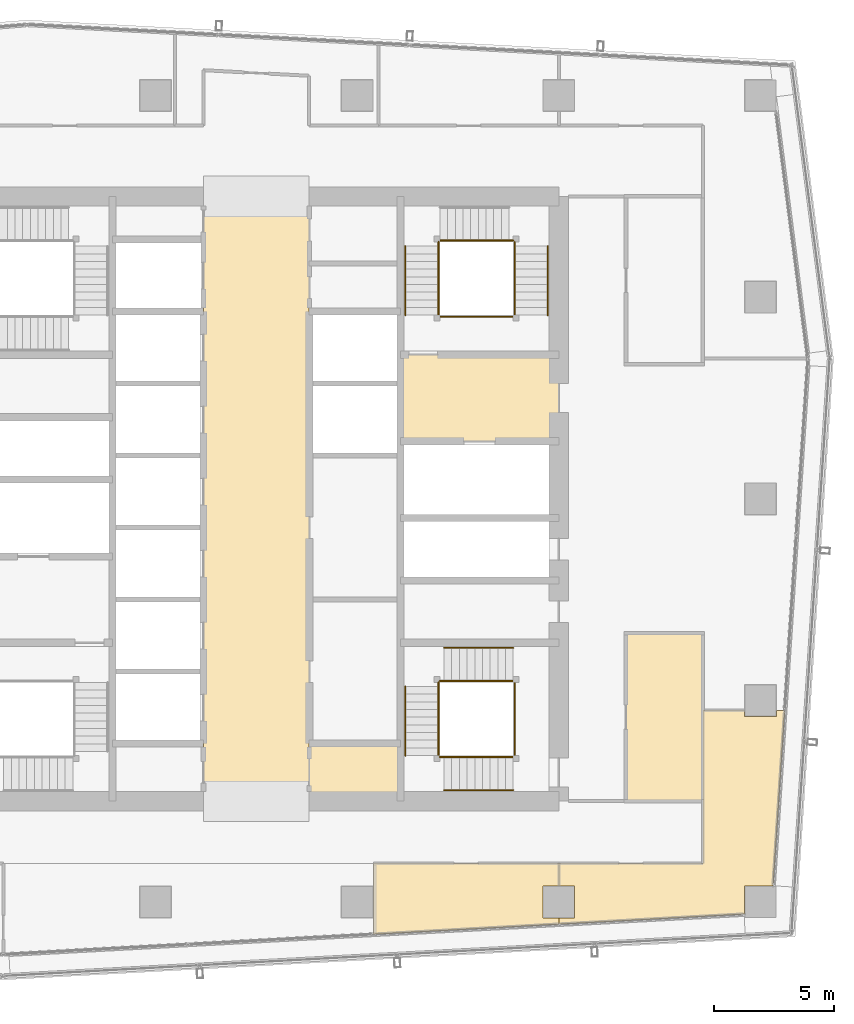
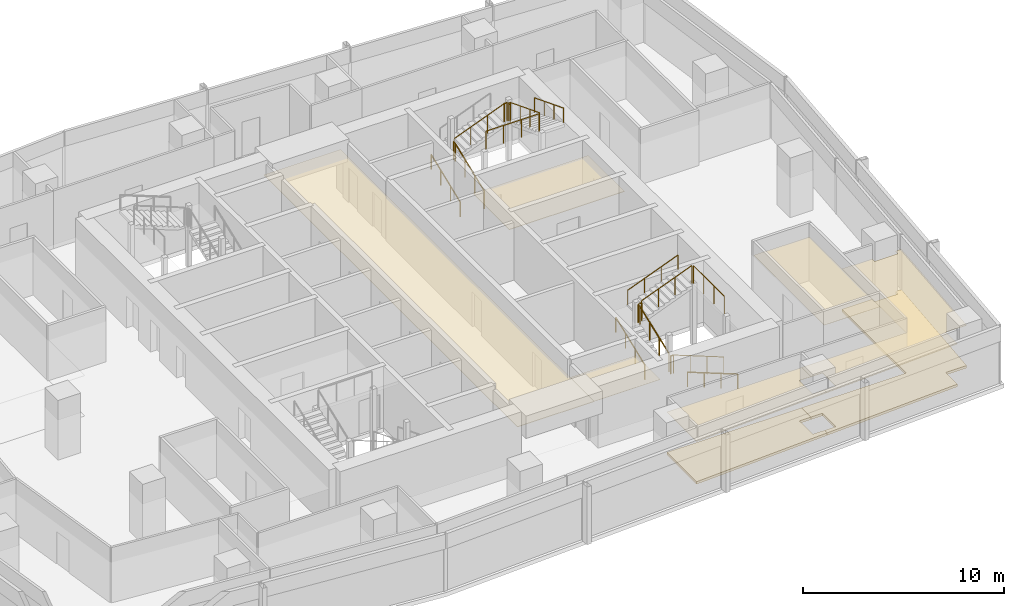
# One storey, part 28 of 29: 19 railings, 8 coverings.
"""IFC4 building model written with IfcOpenShell, lengths in metres."""

from ifc_helpers import new_model, si_unit, direction, frame, origin, origin_2d, place, context, subcontext, project, spatial, polyline, circle, outline, extrude, material, layer, layer_set, type_object, element, save


model = new_model("IFC4")

# Units and contexts
model_context = context("Model", 3, precision=1e-05, world=origin(), true_north=direction((0.0, 1.0)))
body_context = subcontext(model_context, "Body", "Model", "MODEL_VIEW")
ifc_project = project(units=[si_unit("LENGTHUNIT", "METRE"), si_unit("AREAUNIT", "SQUARE_METRE"), si_unit("VOLUMEUNIT", "CUBIC_METRE"), si_unit("PLANEANGLEUNIT", "RADIAN"), si_unit("MASSUNIT", "GRAM", prefix="KILO")], contexts=[model_context])

# Site, building, storey
site_placement = place(None, origin())
site = spatial("IfcSite", under=ifc_project, at=site_placement, CompositionType="ELEMENT")
building_placement = place(site_placement, origin())
building = spatial("IfcBuilding", under=site, at=building_placement, Name="Rekha Terrace Tower", CompositionType="ELEMENT")
storey_placement = place(building_placement, frame((0.0, 0.0, 257.60009765625)))
storey = spatial("IfcBuildingStorey", under=building, at=storey_placement, Name="L65", CompositionType="ELEMENT", Elevation=257.60009765625)

# Coverings
ifc_material_1 = material(Name="Mineral fibre tile in exposed grid", Category="finish")
ifc_layer_1 = layer(ifc_material_1, 0.02001953125)
ifc_layer_set_1 = layer_set([ifc_layer_1], Name="Mineral fibre tile in exposed grid")
covering_type_1 = type_object("IfcCoveringType", Name="CL1 600x1200 office grid ceiling", PredefinedType="CEILING", material=ifc_layer_set_1)
covering_1_placement = place(storey_placement, frame((0.0, 0.0, 2.579833984375)))
element("IfcCovering", 1, at=covering_1_placement, inside=storey, type_object=covering_type_1, Name="Ceiling L65-02", PredefinedType="CEILING", context=body_context, shape_type="SweptSolid", body=[
    extrude(outline(polyline([(49.735107421875, 17.465087890625), (50.39990234375, 17.465087890625), (50.39990234375, 18.39990234375), (42.674072265625, 18.39990234375), (42.674072265625, 15.4541015625), (50.39990234375, 15.875), (50.39990234375, 16.135009765625), (49.735107421875, 16.135009765625), (49.735107421875, 17.465087890625)])), origin(), (0.0, 0.0, 1.0), 0.02001953125),
])
covering_2_placement = place(storey_placement, frame((0.0, 0.0, 2.579833984375)))
element("IfcCovering", 2, at=covering_2_placement, inside=storey, type_object=covering_type_1, Name="Ceiling L65-03", PredefinedType="CEILING", context=body_context, shape_type="SweptSolid", body=[
    extrude(outline(polyline([(58.135009765625, 24.534912109375), (58.135009765625, 24.785888671875), (56.39990234375, 24.785888671875), (56.39990234375, 18.39990234375), (50.40087890625, 18.39990234375), (50.40087890625, 17.465087890625), (51.06494140625, 17.465087890625), (51.06494140625, 16.135009765625), (50.40087890625, 16.135009765625), (50.40087890625, 15.875), (58.135009765625, 16.2958984375), (58.135009765625, 17.465087890625), (59.327880859375, 17.465087890625), (59.81396484375, 24.785888671875), (59.465087890625, 24.785888671875), (59.465087890625, 24.534912109375), (58.135009765625, 24.534912109375)])), origin(), (0.0, 0.0, 1.0), 0.02001953125),
])
ifc_material_2 = material(Name="Fibre cement board", Category="finish")
ifc_layer_2 = layer(ifc_material_2, 0.014892578125)
ifc_layer_set_2 = layer_set([ifc_layer_2], Name="Fibre cement board")
covering_type_2 = type_object("IfcCoveringType", Name="CL2 moisture-resistant board ceiling", PredefinedType="CEILING", material=ifc_layer_set_2)
covering_3_placement = place(storey_placement, frame((0.0, 0.0, 2.5849609375)))
element("IfcCovering", 3, at=covering_3_placement, inside=storey, type_object=covering_type_2, Name="Ceiling L65-WCA", PredefinedType="CEILING", context=body_context, shape_type="SweptSolid", body=[
    extrude(outline(polyline([(43.800048828125, 23.39990234375), (40.0, 23.39990234375), (40.0, 21.0), (43.800048828125, 21.0), (43.800048828125, 23.39990234375)])), origin(), (0.0, 0.0, 1.0), 0.014892578125),
])
covering_4_placement = place(storey_placement, frame((0.0, 0.0, 2.5849609375)))
element("IfcCovering", 4, at=covering_4_placement, inside=storey, type_object=covering_type_2, Name="Ceiling L65-WCM2", PredefinedType="CEILING", context=body_context, shape_type="SweptSolid", body=[
    extrude(outline(polyline([(56.39990234375, 28.0), (53.199951171875, 28.0), (53.199951171875, 21.0), (56.39990234375, 21.0), (56.39990234375, 28.0)])), origin(), (0.0, 0.0, 1.0), 0.014892578125),
])
ifc_material_3 = material(Name="Powder-coated aluminium pan", Category="aluminium")
ifc_layer_3 = layer(ifc_material_3, 0.030029296875)
ifc_layer_set_3 = layer_set([ifc_layer_3], Name="Powder-coated aluminium pan")
covering_type_3 = type_object("IfcCoveringType", Name="CL3 300x1200 metal pan ceiling", PredefinedType="CEILING", material=ifc_layer_set_3)
covering_5_placement = place(storey_placement, frame((0.0, 0.0, 2.56982421875)))
element("IfcCovering", 5, at=covering_5_placement, inside=storey, type_object=covering_type_3, Name="Ceiling L65-LOBBY", PredefinedType="CEILING", context=body_context, shape_type="SweptSolid", body=[
    extrude(outline(polyline([(40.0, 46.199951171875), (35.60009765625, 46.199951171875), (35.60009765625, 21.0), (40.0, 21.0), (40.0, 46.199951171875)])), origin(), (0.0, 0.0, 1.0), 0.030029296875),
])
covering_6_placement = place(storey_placement, frame((0.0, 0.0, 2.56982421875)))
element("IfcCovering", 6, at=covering_6_placement, inside=storey, type_object=covering_type_3, Name="Ceiling L65-FLB2", PredefinedType="CEILING", context=body_context, shape_type="SweptSolid", body=[
    extrude(outline(polyline([(50.39990234375, 39.60009765625), (43.800048828125, 39.60009765625), (43.800048828125, 36.0), (50.39990234375, 36.0), (50.39990234375, 39.60009765625)])), origin(), (0.0, 0.0, 1.0), 0.030029296875),
])

# Railings
ifc_material_4 = material(Name="Stainless steel balustrade", Category="steel")
railing_type_1 = type_object("IfcRailingType", Name="GR1 1100 stair guard", PredefinedType="GUARDRAIL", material=ifc_material_4)
railing_1_placement = place(storey_placement, frame((45.389892578125, 41.25, 0.125)))
element("IfcRailing", 7, at=railing_1_placement, inside=storey, type_object=railing_type_1, Name="Guard ST2 L65 flight 1", PredefinedType="GUARDRAIL", context=body_context, shape_type="SweptSolid", body=[
    extrude(circle(Radius=0.02392578125, at=origin_2d()), frame((0.0, 0.0, 1.076171875), z_axis=(0.0, 0.931452331594, 0.363863372667), x_axis=(-1.0, 0.0, 0.0)), (0.0, 0.0, 1.0), 3.091796875),
    extrude(circle(Radius=0.02099609375, at=origin_2d()), origin(), (0.0, 0.0, 1.0), 1.052001953125),
    extrude(circle(Radius=0.02099609375, at=origin_2d()), frame((0.0, 0.9599609375, 0.375)), (0.0, 0.0, 1.0), 1.052001953125),
    extrude(circle(Radius=0.02099609375, at=origin_2d()), frame((0.0, 1.919921875, 0.75)), (0.0, 0.0, 1.0), 1.052001953125),
    extrude(circle(Radius=0.02099609375, at=origin_2d()), frame((0.0, 2.8798828125, 1.125)), (0.0, 0.0, 1.0), 1.052001953125),
])
railing_2_placement = place(storey_placement, frame((45.449951171875, 44.360107421875, 1.375)))
element("IfcRailing", 8, at=railing_2_placement, inside=storey, type_object=railing_type_1, Name="Guard ST2 L65 flight 2", PredefinedType="GUARDRAIL", context=body_context, shape_type="SweptSolid", body=[
    extrude(circle(Radius=0.02392578125, at=origin_2d()), frame((0.0, 0.0, 1.076171875), z_axis=(0.931462784923, 0.0, 0.363836612098), x_axis=(0.0, 1.0, 0.0)), (0.0, 0.0, 1.0), 3.092041015625),
    extrude(circle(Radius=0.02099609375, at=origin_2d()), origin(), (0.0, 0.0, 1.0), 1.052001953125),
    extrude(circle(Radius=0.02099609375, at=origin_2d()), frame((0.9599609375, 0.0, 0.375)), (0.0, 0.0, 1.0), 1.052001953125),
    extrude(circle(Radius=0.02099609375, at=origin_2d()), frame((1.920166015625, 0.0, 0.75)), (0.0, 0.0, 1.0), 1.052001953125),
    extrude(circle(Radius=0.02099609375, at=origin_2d()), frame((2.880126953125, 0.0, 1.125)), (0.0, 0.0, 1.0), 1.052001953125),
])
railing_3_placement = place(storey_placement, frame((48.56005859375, 44.1298828125, 2.625)))
element("IfcRailing", 9, at=railing_3_placement, inside=storey, type_object=railing_type_1, Name="Guard ST2 L65 flight 3", PredefinedType="GUARDRAIL", context=body_context, shape_type="SweptSolid", body=[
    extrude(circle(Radius=0.02392578125, at=origin_2d()), frame((0.0, 0.0, 1.076171875), z_axis=(0.0, -0.931452331594, 0.363863372667), x_axis=(1.0, 0.0, 0.0)), (0.0, 0.0, 1.0), 3.091796875),
    extrude(circle(Radius=0.02099609375, at=origin_2d()), origin(), (0.0, 0.0, 1.0), 1.052001953125),
    extrude(circle(Radius=0.02099609375, at=origin_2d()), frame((0.0, -0.9599609375, 0.375)), (0.0, 0.0, 1.0), 1.052001953125),
    extrude(circle(Radius=0.02099609375, at=origin_2d()), frame((0.0, -1.919921875, 0.75)), (0.0, 0.0, 1.0), 1.052001953125),
    extrude(circle(Radius=0.02099609375, at=origin_2d()), frame((0.0, -2.8798828125, 1.125)), (0.0, 0.0, 1.0), 1.052001953125),
])
railing_4_placement = place(storey_placement, frame((45.389892578125, 44.1298828125, 1.25)))
element("IfcRailing", 10, at=railing_4_placement, inside=storey, type_object=railing_type_1, Name="Guard ST2 L65 landing 1", PredefinedType="GUARDRAIL", context=body_context, shape_type="SweptSolid", body=[
    extrude(circle(Radius=0.02392578125, at=origin_2d()), frame((0.0, 0.0, 1.076171875), z_axis=(0.0, 1.0, 0.0), x_axis=(-1.0, 0.0, 0.0)), (0.0, 0.0, 1.0), 0.170166015625),
    extrude(circle(Radius=0.02099609375, at=origin_2d()), origin(), (0.0, 0.0, 1.0), 1.052001953125),
    extrude(circle(Radius=0.02099609375, at=origin_2d()), frame((0.0, 0.170166015625, 0.0)), (0.0, 0.0, 1.0), 1.052001953125),
])
railing_5_placement = place(storey_placement, frame((48.330078125, 44.360107421875, 2.5)))
element("IfcRailing", 11, at=railing_5_placement, inside=storey, type_object=railing_type_1, Name="Guard ST2 L65 landing 2", PredefinedType="GUARDRAIL", context=body_context, shape_type="SweptSolid", body=[
    extrude(circle(Radius=0.02392578125, at=origin_2d()), frame((0.0, 0.0, 1.076171875), z_axis=(1.0, 0.0, 0.0), x_axis=(0.0, 1.0, 0.0)), (0.0, 0.0, 1.0), 0.169921875),
    extrude(circle(Radius=0.02099609375, at=origin_2d()), origin(), (0.0, 0.0, 1.0), 1.052001953125),
    extrude(circle(Radius=0.02099609375, at=origin_2d()), frame((0.169921875, 0.0, 0.0)), (0.0, 0.0, 1.0), 1.052001953125),
])
railing_6_placement = place(storey_placement, frame((48.56005859375, 44.1298828125, 2.5)))
element("IfcRailing", 12, at=railing_6_placement, inside=storey, type_object=railing_type_1, Name="Guard ST2 L65 landing 3", PredefinedType="GUARDRAIL", context=body_context, shape_type="SweptSolid", body=[
    extrude(circle(Radius=0.02392578125, at=origin_2d()), frame((0.0, 0.0, 1.076171875), z_axis=(0.0, 1.0, 0.0), x_axis=(-1.0, 0.0, 0.0)), (0.0, 0.0, 1.0), 0.170166015625),
    extrude(circle(Radius=0.02099609375, at=origin_2d()), origin(), (0.0, 0.0, 1.0), 1.052001953125),
    extrude(circle(Radius=0.02099609375, at=origin_2d()), frame((0.0, 0.170166015625, 0.0)), (0.0, 0.0, 1.0), 1.052001953125),
])
railing_7_placement = place(storey_placement, frame((45.449951171875, 41.18994140625, 3.75)))
element("IfcRailing", 13, at=railing_7_placement, inside=storey, type_object=railing_type_1, Name="Guard ST2 L65 landing 4", PredefinedType="GUARDRAIL", context=body_context, shape_type="SweptSolid", body=[
    extrude(circle(Radius=0.02392578125, at=origin_2d()), frame((0.0, 0.0, 1.076171875), z_axis=(1.0, 0.0, 0.0), x_axis=(0.0, 1.0, 0.0)), (0.0, 0.0, 1.0), 3.050048828125),
    extrude(circle(Radius=0.02099609375, at=origin_2d()), origin(), (0.0, 0.0, 1.0), 1.052001953125),
    extrude(circle(Radius=0.02099609375, at=origin_2d()), frame((1.0166015625, 0.0, 0.0)), (0.0, 0.0, 1.0), 1.052001953125),
    extrude(circle(Radius=0.02099609375, at=origin_2d()), frame((2.033447265625, 0.0, 0.0)), (0.0, 0.0, 1.0), 1.052001953125),
    extrude(circle(Radius=0.02099609375, at=origin_2d()), frame((3.050048828125, 0.0, 0.0)), (0.0, 0.0, 1.0), 1.052001953125),
])
railing_8_placement = place(storey_placement, frame((48.5, 22.840087890625, 0.125)))
element("IfcRailing", 14, at=railing_8_placement, inside=storey, type_object=railing_type_1, Name="Guard ST3 L65 flight 1", PredefinedType="GUARDRAIL", context=body_context, shape_type="SweptSolid", body=[
    extrude(circle(Radius=0.02392578125, at=origin_2d()), frame((0.0, 0.0, 1.076171875), z_axis=(-0.931452331594, 0.0, 0.363863372667), x_axis=(0.0, -1.0, 0.0)), (0.0, 0.0, 1.0), 3.091796875),
    extrude(circle(Radius=0.02099609375, at=origin_2d()), origin(), (0.0, 0.0, 1.0), 1.052001953125),
    extrude(circle(Radius=0.02099609375, at=origin_2d()), frame((-0.9599609375, 0.0, 0.375)), (0.0, 0.0, 1.0), 1.052001953125),
    extrude(circle(Radius=0.02099609375, at=origin_2d()), frame((-1.919921875, 0.0, 0.75)), (0.0, 0.0, 1.0), 1.052001953125),
    extrude(circle(Radius=0.02099609375, at=origin_2d()), frame((-2.8798828125, 0.0, 1.125)), (0.0, 0.0, 1.0), 1.052001953125),
])
railing_9_placement = place(storey_placement, frame((45.389892578125, 22.89990234375, 1.375)))
element("IfcRailing", 15, at=railing_9_placement, inside=storey, type_object=railing_type_1, Name="Guard ST3 L65 flight 2", PredefinedType="GUARDRAIL", context=body_context, shape_type="SweptSolid", body=[
    extrude(circle(Radius=0.02392578125, at=origin_2d()), frame((0.0, 0.0, 1.076171875), z_axis=(0.0, 0.931462784923, 0.363836612098), x_axis=(-1.0, 0.0, 0.0)), (0.0, 0.0, 1.0), 3.092041015625),
    extrude(circle(Radius=0.02099609375, at=origin_2d()), origin(), (0.0, 0.0, 1.0), 1.052001953125),
    extrude(circle(Radius=0.02099609375, at=origin_2d()), frame((0.0, 0.9599609375, 0.375)), (0.0, 0.0, 1.0), 1.052001953125),
    extrude(circle(Radius=0.02099609375, at=origin_2d()), frame((0.0, 1.920166015625, 0.75)), (0.0, 0.0, 1.0), 1.052001953125),
    extrude(circle(Radius=0.02099609375, at=origin_2d()), frame((0.0, 2.880126953125, 1.125)), (0.0, 0.0, 1.0), 1.052001953125),
])
railing_10_placement = place(storey_placement, frame((45.6201171875, 26.010009765625, 2.625)))
element("IfcRailing", 16, at=railing_10_placement, inside=storey, type_object=railing_type_1, Name="Guard ST3 L65 flight 3", PredefinedType="GUARDRAIL", context=body_context, shape_type="SweptSolid", body=[
    extrude(circle(Radius=0.02392578125, at=origin_2d()), frame((0.0, 0.0, 1.076171875), z_axis=(0.931452331594, 0.0, 0.363863372667), x_axis=(0.0, 1.0, 0.0)), (0.0, 0.0, 1.0), 3.091796875),
    extrude(circle(Radius=0.02099609375, at=origin_2d()), origin(), (0.0, 0.0, 1.0), 1.052001953125),
    extrude(circle(Radius=0.02099609375, at=origin_2d()), frame((0.9599609375, 0.0, 0.375)), (0.0, 0.0, 1.0), 1.052001953125),
    extrude(circle(Radius=0.02099609375, at=origin_2d()), frame((1.919921875, 0.0, 0.75)), (0.0, 0.0, 1.0), 1.052001953125),
    extrude(circle(Radius=0.02099609375, at=origin_2d()), frame((2.8798828125, 0.0, 1.125)), (0.0, 0.0, 1.0), 1.052001953125),
])
railing_11_placement = place(storey_placement, frame((45.6201171875, 22.840087890625, 1.25)))
element("IfcRailing", 17, at=railing_11_placement, inside=storey, type_object=railing_type_1, Name="Guard ST3 L65 landing 1", PredefinedType="GUARDRAIL", context=body_context, shape_type="SweptSolid", body=[
    extrude(circle(Radius=0.02392578125, at=origin_2d()), frame((0.0, 0.0, 1.076171875), z_axis=(-1.0, 0.0, 0.0), x_axis=(0.0, -1.0, 0.0)), (0.0, 0.0, 1.0), 0.170166015625),
    extrude(circle(Radius=0.02099609375, at=origin_2d()), origin(), (0.0, 0.0, 1.0), 1.052001953125),
    extrude(circle(Radius=0.02099609375, at=origin_2d()), frame((-0.170166015625, 0.0, 0.0)), (0.0, 0.0, 1.0), 1.052001953125),
])
railing_12_placement = place(storey_placement, frame((45.389892578125, 25.780029296875, 2.5)))
element("IfcRailing", 18, at=railing_12_placement, inside=storey, type_object=railing_type_1, Name="Guard ST3 L65 landing 2", PredefinedType="GUARDRAIL", context=body_context, shape_type="SweptSolid", body=[
    extrude(circle(Radius=0.02392578125, at=origin_2d()), frame((0.0, 0.0, 1.076171875), z_axis=(0.0, 1.0, 0.0), x_axis=(-1.0, 0.0, 0.0)), (0.0, 0.0, 1.0), 0.169921875),
    extrude(circle(Radius=0.02099609375, at=origin_2d()), origin(), (0.0, 0.0, 1.0), 1.052001953125),
    extrude(circle(Radius=0.02099609375, at=origin_2d()), frame((0.0, 0.169921875, 0.0)), (0.0, 0.0, 1.0), 1.052001953125),
])
railing_13_placement = place(storey_placement, frame((45.6201171875, 26.010009765625, 2.5)))
element("IfcRailing", 19, at=railing_13_placement, inside=storey, type_object=railing_type_1, Name="Guard ST3 L65 landing 3", PredefinedType="GUARDRAIL", context=body_context, shape_type="SweptSolid", body=[
    extrude(circle(Radius=0.02392578125, at=origin_2d()), frame((0.0, 0.0, 1.076171875), z_axis=(-1.0, 0.0, 0.0), x_axis=(0.0, -1.0, 0.0)), (0.0, 0.0, 1.0), 0.170166015625),
    extrude(circle(Radius=0.02099609375, at=origin_2d()), origin(), (0.0, 0.0, 1.0), 1.052001953125),
    extrude(circle(Radius=0.02099609375, at=origin_2d()), frame((-0.170166015625, 0.0, 0.0)), (0.0, 0.0, 1.0), 1.052001953125),
])
railing_14_placement = place(storey_placement, frame((48.56005859375, 22.89990234375, 3.75)))
element("IfcRailing", 20, at=railing_14_placement, inside=storey, type_object=railing_type_1, Name="Guard ST3 L65 landing 4", PredefinedType="GUARDRAIL", context=body_context, shape_type="SweptSolid", body=[
    extrude(circle(Radius=0.02392578125, at=origin_2d()), frame((0.0, 0.0, 1.076171875), z_axis=(0.0, 1.0, 0.0), x_axis=(-1.0, 0.0, 0.0)), (0.0, 0.0, 1.0), 3.050048828125),
    extrude(circle(Radius=0.02099609375, at=origin_2d()), origin(), (0.0, 0.0, 1.0), 1.052001953125),
    extrude(circle(Radius=0.02099609375, at=origin_2d()), frame((0.0, 1.0166015625, 0.0)), (0.0, 0.0, 1.0), 1.052001953125),
    extrude(circle(Radius=0.02099609375, at=origin_2d()), frame((0.0, 2.033447265625, 0.0)), (0.0, 0.0, 1.0), 1.052001953125),
    extrude(circle(Radius=0.02099609375, at=origin_2d()), frame((0.0, 3.050048828125, 0.0)), (0.0, 0.0, 1.0), 1.052001953125),
])
ifc_material_5 = material(Name="Stainless steel tube", Category="steel")
railing_type_2 = type_object("IfcRailingType", Name="HR1 900 stair handrail", PredefinedType="HANDRAIL", material=ifc_material_5)
railing_15_placement = place(storey_placement, frame((44.010009765625, 41.25, 0.125)))
element("IfcRailing", 21, at=railing_15_placement, inside=storey, type_object=railing_type_2, Name="Handrail ST2 L65 flight 1", PredefinedType="HANDRAIL", context=body_context, shape_type="SweptSolid", body=[
    extrude(circle(Radius=0.02392578125, at=origin_2d()), frame((0.0, 0.0, 0.8759765625), z_axis=(0.0, 0.931452331594, 0.363863372667), x_axis=(-1.0, 0.0, 0.0)), (0.0, 0.0, 1.0), 3.091796875),
    extrude(circle(Radius=0.02099609375, at=origin_2d()), origin(), (0.0, 0.0, 1.0), 0.851806640625),
    extrude(circle(Radius=0.02099609375, at=origin_2d()), frame((0.0, 0.9599609375, 0.375)), (0.0, 0.0, 1.0), 0.851806640625),
    extrude(circle(Radius=0.02099609375, at=origin_2d()), frame((0.0, 1.919921875, 0.75)), (0.0, 0.0, 1.0), 0.851806640625),
    extrude(circle(Radius=0.02099609375, at=origin_2d()), frame((0.0, 2.8798828125, 1.125)), (0.0, 0.0, 1.0), 0.851806640625),
])
railing_16_placement = place(storey_placement, frame((49.93994140625, 44.1298828125, 2.625)))
element("IfcRailing", 22, at=railing_16_placement, inside=storey, type_object=railing_type_2, Name="Handrail ST2 L65 flight 3", PredefinedType="HANDRAIL", context=body_context, shape_type="SweptSolid", body=[
    extrude(circle(Radius=0.02392578125, at=origin_2d()), frame((0.0, 0.0, 0.8759765625), z_axis=(0.0, -0.931452331594, 0.363863372667), x_axis=(1.0, 0.0, 0.0)), (0.0, 0.0, 1.0), 3.091796875),
    extrude(circle(Radius=0.02099609375, at=origin_2d()), origin(), (0.0, 0.0, 1.0), 0.851806640625),
    extrude(circle(Radius=0.02099609375, at=origin_2d()), frame((0.0, -0.9599609375, 0.375)), (0.0, 0.0, 1.0), 0.851806640625),
    extrude(circle(Radius=0.02099609375, at=origin_2d()), frame((0.0, -1.919921875, 0.75)), (0.0, 0.0, 1.0), 0.851806640625),
    extrude(circle(Radius=0.02099609375, at=origin_2d()), frame((0.0, -2.8798828125, 1.125)), (0.0, 0.0, 1.0), 0.851806640625),
])
railing_17_placement = place(storey_placement, frame((48.5, 21.4599609375, 0.125)))
element("IfcRailing", 23, at=railing_17_placement, inside=storey, type_object=railing_type_2, Name="Handrail ST3 L65 flight 1", PredefinedType="HANDRAIL", context=body_context, shape_type="SweptSolid", body=[
    extrude(circle(Radius=0.02392578125, at=origin_2d()), frame((0.0, 0.0, 0.8759765625), z_axis=(-0.931452331594, 0.0, 0.363863372667), x_axis=(0.0, -1.0, 0.0)), (0.0, 0.0, 1.0), 3.091796875),
    extrude(circle(Radius=0.02099609375, at=origin_2d()), origin(), (0.0, 0.0, 1.0), 0.851806640625),
    extrude(circle(Radius=0.02099609375, at=origin_2d()), frame((-0.9599609375, 0.0, 0.375)), (0.0, 0.0, 1.0), 0.851806640625),
    extrude(circle(Radius=0.02099609375, at=origin_2d()), frame((-1.919921875, 0.0, 0.75)), (0.0, 0.0, 1.0), 0.851806640625),
    extrude(circle(Radius=0.02099609375, at=origin_2d()), frame((-2.8798828125, 0.0, 1.125)), (0.0, 0.0, 1.0), 0.851806640625),
])
railing_18_placement = place(storey_placement, frame((44.010009765625, 22.89990234375, 1.375)))
element("IfcRailing", 24, at=railing_18_placement, inside=storey, type_object=railing_type_2, Name="Handrail ST3 L65 flight 2", PredefinedType="HANDRAIL", context=body_context, shape_type="SweptSolid", body=[
    extrude(circle(Radius=0.02392578125, at=origin_2d()), frame((0.0, 0.0, 0.8759765625), z_axis=(0.0, 0.931462784923, 0.363836612098), x_axis=(-1.0, 0.0, 0.0)), (0.0, 0.0, 1.0), 3.092041015625),
    extrude(circle(Radius=0.02099609375, at=origin_2d()), origin(), (0.0, 0.0, 1.0), 0.851806640625),
    extrude(circle(Radius=0.02099609375, at=origin_2d()), frame((0.0, 0.9599609375, 0.375)), (0.0, 0.0, 1.0), 0.851806640625),
    extrude(circle(Radius=0.02099609375, at=origin_2d()), frame((0.0, 1.920166015625, 0.75)), (0.0, 0.0, 1.0), 0.851806640625),
    extrude(circle(Radius=0.02099609375, at=origin_2d()), frame((0.0, 2.880126953125, 1.125)), (0.0, 0.0, 1.0), 0.851806640625),
])
railing_19_placement = place(storey_placement, frame((45.6201171875, 27.389892578125, 2.625)))
element("IfcRailing", 25, at=railing_19_placement, inside=storey, type_object=railing_type_2, Name="Handrail ST3 L65 flight 3", PredefinedType="HANDRAIL", context=body_context, shape_type="SweptSolid", body=[
    extrude(circle(Radius=0.02392578125, at=origin_2d()), frame((0.0, 0.0, 0.8759765625), z_axis=(0.931452331594, 0.0, 0.363863372667), x_axis=(0.0, 1.0, 0.0)), (0.0, 0.0, 1.0), 3.091796875),
    extrude(circle(Radius=0.02099609375, at=origin_2d()), origin(), (0.0, 0.0, 1.0), 0.851806640625),
    extrude(circle(Radius=0.02099609375, at=origin_2d()), frame((0.9599609375, 0.0, 0.375)), (0.0, 0.0, 1.0), 0.851806640625),
    extrude(circle(Radius=0.02099609375, at=origin_2d()), frame((1.919921875, 0.0, 0.75)), (0.0, 0.0, 1.0), 0.851806640625),
    extrude(circle(Radius=0.02099609375, at=origin_2d()), frame((2.8798828125, 0.0, 1.125)), (0.0, 0.0, 1.0), 0.851806640625),
])

# Coverings
ifc_material_6 = material(Name="Calcium sulphate panels on steel pedestals", Category="steel")
ifc_layer_4 = layer(ifc_material_6, 0.14990234375)
ifc_layer_set_4 = layer_set([ifc_layer_4], Name="Calcium sulphate panels on steel pedestals")
covering_type_4 = type_object("IfcCoveringType", Name="RF1 150 raised access floor", PredefinedType="FLOORING", material=ifc_layer_set_4)
covering_7_placement = place(storey_placement, origin())
element("IfcCovering", 26, at=covering_7_placement, inside=storey, type_object=covering_type_4, Name="Raised floor L65-02", PredefinedType="FLOORING", context=body_context, shape_type="SweptSolid", body=[
    extrude(outline(polyline([(49.735107421875, 17.465087890625), (50.39990234375, 17.465087890625), (50.39990234375, 18.39990234375), (42.674072265625, 18.39990234375), (42.674072265625, 15.4541015625), (50.39990234375, 15.875), (50.39990234375, 16.135009765625), (49.735107421875, 16.135009765625), (49.735107421875, 17.465087890625)])), origin(), (0.0, 0.0, 1.0), 0.14990234375),
])
covering_8_placement = place(storey_placement, origin())
element("IfcCovering", 27, at=covering_8_placement, inside=storey, type_object=covering_type_4, Name="Raised floor L65-03", PredefinedType="FLOORING", context=body_context, shape_type="SweptSolid", body=[
    extrude(outline(polyline([(58.135009765625, 24.534912109375), (58.135009765625, 24.785888671875), (56.39990234375, 24.785888671875), (56.39990234375, 18.39990234375), (50.40087890625, 18.39990234375), (50.40087890625, 17.465087890625), (51.06494140625, 17.465087890625), (51.06494140625, 16.135009765625), (50.40087890625, 16.135009765625), (50.40087890625, 15.875), (58.135009765625, 16.2958984375), (58.135009765625, 17.465087890625), (59.327880859375, 17.465087890625), (59.81396484375, 24.785888671875), (59.465087890625, 24.785888671875), (59.465087890625, 24.534912109375), (58.135009765625, 24.534912109375)])), origin(), (0.0, 0.0, 1.0), 0.14990234375),
])

save(model, "model.ifc")
